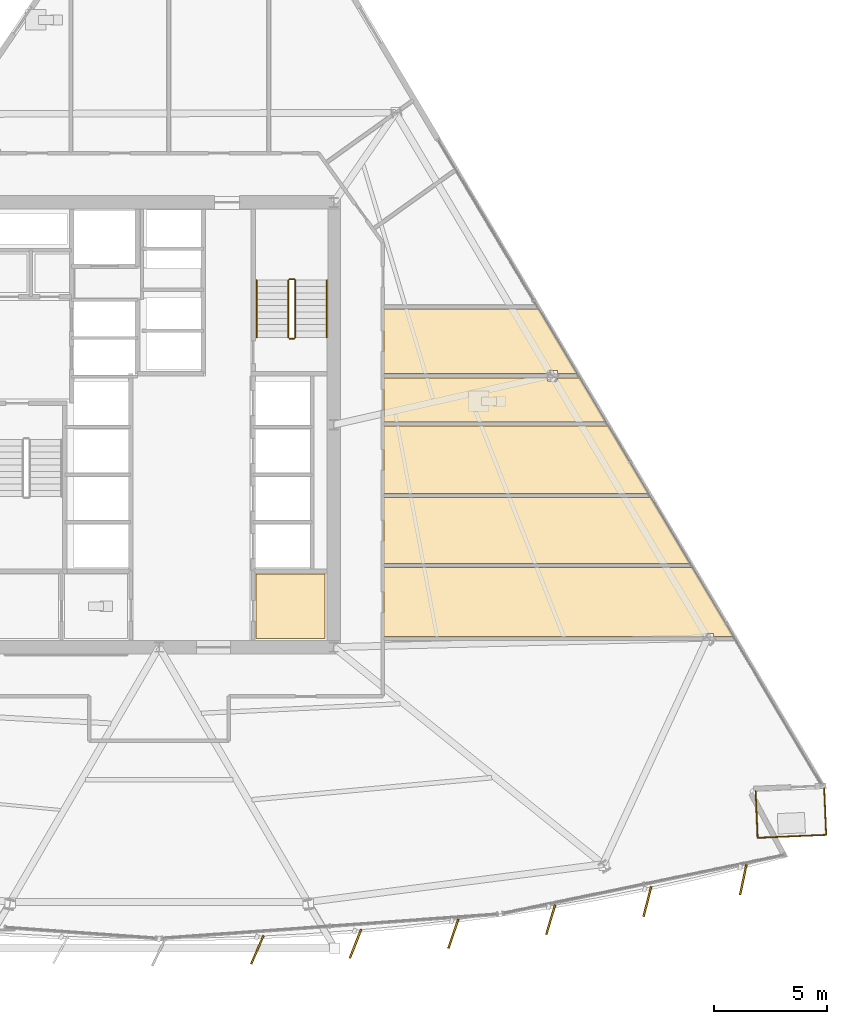
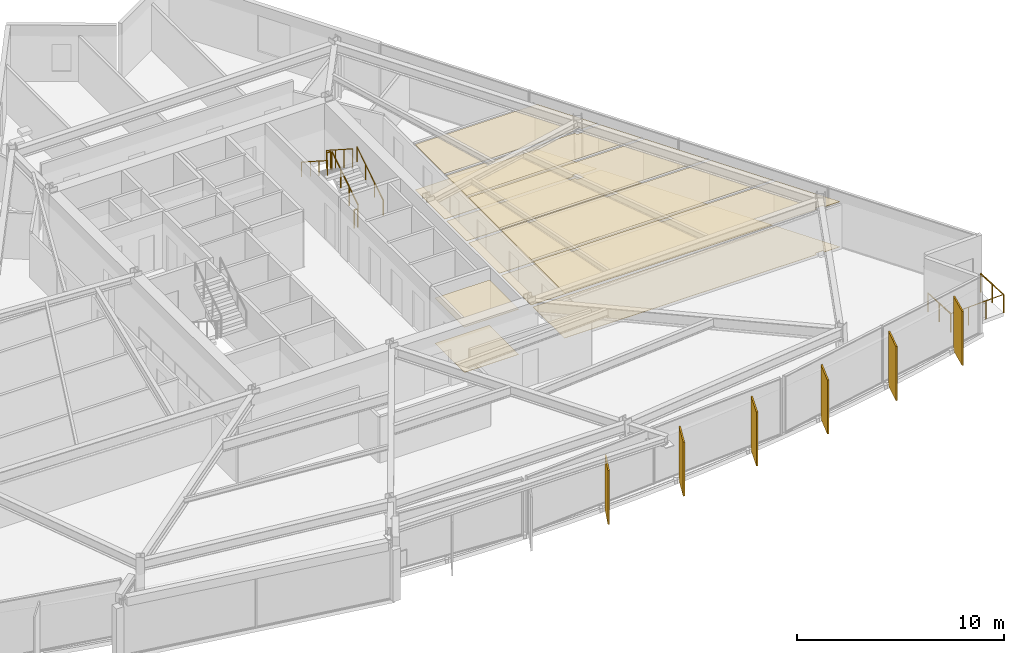
# One storey, part 15 of 17: 12 coverings, 9 railings, 6 shading devices.
"""IFC4 building model written with IfcOpenShell, lengths in metres."""

from ifc_helpers import new_model, si_unit, direction, frame, origin, origin_2d, place, context, subcontext, project, spatial, polyline, rectangle, circle, outline, extrude, material, layer, layer_set, type_object, element, save


model = new_model("IFC4")

# Units and contexts
model_context = context("Model", 3, precision=1e-05, world=origin(), true_north=direction((0.0, 1.0)))
body_context = subcontext(model_context, "Body", "Model", "MODEL_VIEW")
ifc_project = project(units=[si_unit("LENGTHUNIT", "METRE"), si_unit("AREAUNIT", "SQUARE_METRE"), si_unit("VOLUMEUNIT", "CUBIC_METRE"), si_unit("PLANEANGLEUNIT", "RADIAN"), si_unit("MASSUNIT", "GRAM", prefix="KILO")], contexts=[model_context])

# Site, building, storey
site_placement = place(None, origin())
site = spatial("IfcSite", under=ifc_project, at=site_placement, CompositionType="ELEMENT")
building_placement = place(site_placement, origin())
building = spatial("IfcBuilding", under=site, at=building_placement, Name="Savorim Split Tower", CompositionType="ELEMENT")
storey_placement = place(building_placement, frame((0.0, 0.0, 62.39990234375)))
storey = spatial("IfcBuildingStorey", under=building, at=storey_placement, Name="L16", CompositionType="ELEMENT", Elevation=62.39990234375)

# Coverings
ifc_material_1 = material(Name="Mineral Fibre Acoustic Ceiling")
ifc_layer_1 = layer(ifc_material_1, 0.02490234375)
ifc_layer_set_1 = layer_set([ifc_layer_1], Name="COV-CEIL-25")
covering_type_1 = type_object("IfcCoveringType", Name="COV-CEIL-25", PredefinedType="CEILING", material=ifc_layer_set_1)
covering_1_placement = place(storey_placement, frame((0.0, 0.0, 2.670166015625)))
element("IfcCovering", 1, at=covering_1_placement, inside=storey, type_object=covering_type_1, Name="L16 Core IT Server Room Acoustic Ceiling", PredefinedType="CEILING", context=body_context, shape_type="SweptSolid", body=[
    extrude(outline(polyline([(4.280029296875, -6.179931640625), (4.280029296875, -9.02001953125), (7.320068359375, -9.02001953125), (7.320068359375, -6.179931640625), (4.280029296875, -6.179931640625)])), origin(), (0.0, 0.0, 1.0), 0.02490234375),
])
covering_2_placement = place(storey_placement, frame((0.0, 0.0, 2.670166015625)))
element("IfcCovering", 2, at=covering_2_placement, inside=storey, type_object=covering_type_1, Name="L16 Maker Workshop Acoustic Ceiling", PredefinedType="CEILING", context=body_context, shape_type="SweptSolid", body=[
    extrude(outline(polyline([(24.443115234375, -8.80078125), (24.443115234375, -8.933349609375), (25.318115234375, -8.933349609375), (25.319580078125, -8.933349609375), (23.51513671875, -5.898681640625), (9.919921875, -5.898681640625), (9.919921875, -8.933349609375), (24.010986328125, -8.933349609375), (24.010986328125, -8.80078125), (24.443115234375, -8.80078125)])), origin(), (0.0, 0.0, 1.0), 0.02490234375),
])
covering_3_placement = place(storey_placement, frame((0.0, 0.0, 2.670166015625)))
element("IfcCovering", 3, at=covering_3_placement, inside=storey, type_object=covering_type_1, Name="L16 Maker Workshop Acoustic Ceiling", PredefinedType="CEILING", context=body_context, shape_type="SweptSolid", body=[
    extrude(outline(polyline([(23.402099609375, -5.708740234375), (21.68212890625, -2.81591796875), (9.919921875, -2.81591796875), (9.919921875, -5.708740234375), (23.402099609375, -5.708740234375)])), origin(), (0.0, 0.0, 1.0), 0.02490234375),
])
covering_4_placement = place(storey_placement, frame((0.0, 0.0, 2.670166015625)))
element("IfcCovering", 4, at=covering_4_placement, inside=storey, type_object=covering_type_1, Name="L16 Quiet Study Room Acoustic Ceiling", PredefinedType="CEILING", context=body_context, shape_type="SweptSolid", body=[
    extrude(outline(polyline([(21.569091796875, -2.6259765625), (19.806640625, 0.337890625), (9.919921875, 0.337890625), (9.919921875, -2.6259765625), (21.569091796875, -2.6259765625)])), origin(), (0.0, 0.0, 1.0), 0.02490234375),
])
covering_5_placement = place(storey_placement, frame((0.0, 0.0, 2.670166015625)))
element("IfcCovering", 5, at=covering_5_placement, inside=storey, type_object=covering_type_1, Name="L16 Shared Bathroom Acoustic Ceiling", PredefinedType="CEILING", context=body_context, shape_type="SweptSolid", body=[
    extrude(outline(polyline([(17.118408203125, 2.33544921875), (17.118408203125, 2.468017578125), (9.919921875, 2.468017578125), (9.919921875, 0.52783203125), (19.69384765625, 0.52783203125), (18.5205078125, 2.5009765625), (18.5205078125, 2.468017578125), (17.550537109375, 2.468017578125), (17.550537109375, 2.33544921875), (17.118408203125, 2.33544921875)])), origin(), (0.0, 0.0, 1.0), 0.02490234375),
])
covering_6_placement = place(storey_placement, frame((0.0, 0.0, 2.670166015625)))
element("IfcCovering", 6, at=covering_6_placement, inside=storey, type_object=covering_type_1, Name="L16 Maker Workshop Acoustic Ceiling", PredefinedType="CEILING", context=body_context, shape_type="SweptSolid", body=[
    extrude(outline(polyline([(17.550537109375, 2.790283203125), (17.550537109375, 2.657958984375), (18.425537109375, 2.657958984375), (18.42724609375, 2.657958984375), (16.734375, 5.5048828125), (9.919921875, 5.5048828125), (9.919921875, 2.657958984375), (17.118408203125, 2.657958984375), (17.118408203125, 2.790283203125), (17.550537109375, 2.790283203125)])), origin(), (0.0, 0.0, 1.0), 0.02490234375),
])
ifc_material_2 = material(Name="Porcelain Stoneware Flooring", Category="masonry")
ifc_layer_2 = layer(ifc_material_2, 0.02001953125)
ifc_layer_set_2 = layer_set([ifc_layer_2], Name="COV-FLOR-20")
covering_type_2 = type_object("IfcCoveringType", Name="COV-FLOR-20", PredefinedType="FLOORING", material=ifc_layer_set_2)
covering_7_placement = place(storey_placement, origin())
element("IfcCovering", 7, at=covering_7_placement, inside=storey, type_object=covering_type_2, Name="L16 Core IT Server Room Porcelain Flooring", PredefinedType="FLOORING", context=body_context, shape_type="SweptSolid", body=[
    extrude(outline(polyline([(4.280029296875, -6.179931640625), (4.280029296875, -9.02001953125), (7.320068359375, -9.02001953125), (7.320068359375, -6.179931640625), (4.280029296875, -6.179931640625)])), origin(), (0.0, 0.0, 1.0), 0.02001953125),
])
covering_8_placement = place(storey_placement, origin())
element("IfcCovering", 8, at=covering_8_placement, inside=storey, type_object=covering_type_2, Name="L16 Maker Workshop Porcelain Flooring", PredefinedType="FLOORING", context=body_context, shape_type="SweptSolid", body=[
    extrude(outline(polyline([(24.443115234375, -8.80078125), (24.443115234375, -8.933349609375), (25.318115234375, -8.933349609375), (25.319580078125, -8.933349609375), (23.51513671875, -5.898681640625), (9.919921875, -5.898681640625), (9.919921875, -8.933349609375), (24.010986328125, -8.933349609375), (24.010986328125, -8.80078125), (24.443115234375, -8.80078125)])), origin(), (0.0, 0.0, 1.0), 0.02001953125),
])
covering_9_placement = place(storey_placement, origin())
element("IfcCovering", 9, at=covering_9_placement, inside=storey, type_object=covering_type_2, Name="L16 Maker Workshop Porcelain Flooring", PredefinedType="FLOORING", context=body_context, shape_type="SweptSolid", body=[
    extrude(outline(polyline([(23.402099609375, -5.708740234375), (21.68212890625, -2.81591796875), (9.919921875, -2.81591796875), (9.919921875, -5.708740234375), (23.402099609375, -5.708740234375)])), origin(), (0.0, 0.0, 1.0), 0.02001953125),
])
covering_10_placement = place(storey_placement, origin())
element("IfcCovering", 10, at=covering_10_placement, inside=storey, type_object=covering_type_2, Name="L16 Quiet Study Room Porcelain Flooring", PredefinedType="FLOORING", context=body_context, shape_type="SweptSolid", body=[
    extrude(outline(polyline([(21.569091796875, -2.6259765625), (19.806640625, 0.337890625), (9.919921875, 0.337890625), (9.919921875, -2.6259765625), (21.569091796875, -2.6259765625)])), origin(), (0.0, 0.0, 1.0), 0.02001953125),
])
covering_11_placement = place(storey_placement, origin())
element("IfcCovering", 11, at=covering_11_placement, inside=storey, type_object=covering_type_2, Name="L16 Shared Bathroom Porcelain Flooring", PredefinedType="FLOORING", context=body_context, shape_type="SweptSolid", body=[
    extrude(outline(polyline([(17.118408203125, 2.33544921875), (17.118408203125, 2.468017578125), (9.919921875, 2.468017578125), (9.919921875, 0.52783203125), (19.69384765625, 0.52783203125), (18.5205078125, 2.5009765625), (18.5205078125, 2.468017578125), (17.550537109375, 2.468017578125), (17.550537109375, 2.33544921875), (17.118408203125, 2.33544921875)])), origin(), (0.0, 0.0, 1.0), 0.02001953125),
])
covering_12_placement = place(storey_placement, origin())
element("IfcCovering", 12, at=covering_12_placement, inside=storey, type_object=covering_type_2, Name="L16 Maker Workshop Porcelain Flooring", PredefinedType="FLOORING", context=body_context, shape_type="SweptSolid", body=[
    extrude(outline(polyline([(17.550537109375, 2.790283203125), (17.550537109375, 2.657958984375), (18.425537109375, 2.657958984375), (18.42724609375, 2.657958984375), (16.734375, 5.5048828125), (9.919921875, 5.5048828125), (9.919921875, 2.657958984375), (17.118408203125, 2.657958984375), (17.118408203125, 2.790283203125), (17.550537109375, 2.790283203125)])), origin(), (0.0, 0.0, 1.0), 0.02001953125),
])

# Railings
ifc_material_3 = material(Name="Galvanised Painted Steel Balustrade", Category="steel")
railing_type_1 = type_object("IfcRailingType", Name="RLG-BAL-1100", PredefinedType="BALUSTRADE", material=ifc_material_3)
railing_1_placement = place(storey_placement, frame((29.31640625, -15.626708984375, 0.0)))
element("IfcRailing", 13, at=railing_1_placement, inside=storey, type_object=railing_type_1, Name="L16 Tree Balcony Guardrail SE-1", PredefinedType="BALUSTRADE", context=body_context, shape_type="SweptSolid", body=[
    extrude(circle(Radius=0.02392578125, at=origin_2d()), frame((0.0, 0.0, 1.076171875), z_axis=(0.042398364463, -0.999100785052, 0.0), x_axis=(0.999100785052, 0.042398364463, 0.0)), (0.0, 0.0, 1.0), 2.050048828125),
    extrude(circle(Radius=0.02099609375, at=origin_2d()), origin(), (0.0, 0.0, 1.0), 1.052001953125),
    extrude(circle(Radius=0.02099609375, at=origin_2d()), frame((0.04345703125, -1.02392578125, 0.0)), (0.0, 0.0, 1.0), 1.052001953125),
    extrude(circle(Radius=0.02099609375, at=origin_2d()), frame((0.0869140625, -2.048095703125, 0.0)), (0.0, 0.0, 1.0), 1.052001953125),
])
railing_2_placement = place(storey_placement, frame((29.4033203125, -17.6748046875, 0.0)))
element("IfcRailing", 14, at=railing_2_placement, inside=storey, type_object=railing_type_1, Name="L16 Tree Balcony Guardrail SE-2", PredefinedType="BALUSTRADE", context=body_context, shape_type="SweptSolid", body=[
    extrude(circle(Radius=0.02392578125, at=origin_2d()), frame((0.0, 0.0, 1.076171875), z_axis=(-0.999096059369, -0.042509577207, 0.0), x_axis=(0.042509577207, -0.999096059369, 0.0)), (0.0, 0.0, 1.0), 3.026611328125),
    extrude(circle(Radius=0.02099609375, at=origin_2d()), origin(), (0.0, 0.0, 1.0), 1.052001953125),
    extrude(circle(Radius=0.02099609375, at=origin_2d()), frame((-1.008056640625, -0.04296875, 0.0)), (0.0, 0.0, 1.0), 1.052001953125),
    extrude(circle(Radius=0.02099609375, at=origin_2d()), frame((-2.015869140625, -0.085693359375, 0.0)), (0.0, 0.0, 1.0), 1.052001953125),
    extrude(circle(Radius=0.02099609375, at=origin_2d()), frame((-3.02392578125, -0.128662109375, 0.0)), (0.0, 0.0, 1.0), 1.052001953125),
])
railing_3_placement = place(storey_placement, frame((26.37939453125, -17.803466796875, 0.0)))
element("IfcRailing", 15, at=railing_3_placement, inside=storey, type_object=railing_type_1, Name="L16 Tree Balcony Guardrail SE-3", PredefinedType="BALUSTRADE", context=body_context, shape_type="SweptSolid", body=[
    extrude(circle(Radius=0.02392578125, at=origin_2d()), frame((0.0, 0.0, 1.076171875), z_axis=(-0.042517246, 0.999095733047, 0.0), x_axis=(-0.999095733047, -0.042517246, 0.0)), (0.0, 0.0, 1.0), 2.050048828125),
    extrude(circle(Radius=0.02099609375, at=origin_2d()), origin(), (0.0, 0.0, 1.0), 1.052001953125),
    extrude(circle(Radius=0.02099609375, at=origin_2d()), frame((-0.04345703125, 1.02392578125, 0.0)), (0.0, 0.0, 1.0), 1.052001953125),
    extrude(circle(Radius=0.02099609375, at=origin_2d()), frame((-0.087158203125, 2.048095703125, 0.0)), (0.0, 0.0, 1.0), 1.052001953125),
])
railing_type_2 = type_object("IfcRailingType", Name="RLG-HR-900", PredefinedType="HANDRAIL", material=ifc_material_3)
railing_4_placement = place(storey_placement, frame((7.39990234375, 4.25, 0.18017578125)))
element("IfcRailing", 16, at=railing_4_placement, inside=storey, type_object=railing_type_2, Name="L16 ST-2 stair handrail 1", PredefinedType="HANDRAIL", context=body_context, shape_type="SweptSolid", body=[
    extrude(circle(Radius=0.02392578125, at=origin_2d()), frame((0.0, 0.0, 0.8759765625), z_axis=(0.0, 0.841199657755, 0.540724639528), x_axis=(-1.0, 0.0, 0.0)), (0.0, 0.0, 1.0), 2.995849609375),
    extrude(circle(Radius=0.02099609375, at=origin_2d()), origin(), (0.0, 0.0, 1.0), 0.851806640625),
    extrude(circle(Radius=0.02099609375, at=origin_2d()), frame((0.0, 0.840087890625, 0.5400390625)), (0.0, 0.0, 1.0), 0.851806640625),
    extrude(circle(Radius=0.02099609375, at=origin_2d()), frame((0.0, 1.679931640625, 1.079833984375)), (0.0, 0.0, 1.0), 0.851806640625),
    extrude(circle(Radius=0.02099609375, at=origin_2d()), frame((0.0, 2.52001953125, 1.619873046875)), (0.0, 0.0, 1.0), 0.851806640625),
])
railing_5_placement = place(storey_placement, frame((4.300048828125, 6.77001953125, 1.97998046875)))
element("IfcRailing", 17, at=railing_5_placement, inside=storey, type_object=railing_type_2, Name="L16 ST-2 stair handrail 2", PredefinedType="HANDRAIL", context=body_context, shape_type="SweptSolid", body=[
    extrude(circle(Radius=0.02392578125, at=origin_2d()), frame((0.0, 0.0, 0.8759765625), z_axis=(0.0, -0.841162588446, 0.540782303519), x_axis=(1.0, 0.0, 0.0)), (0.0, 0.0, 1.0), 2.995849609375),
    extrude(circle(Radius=0.02099609375, at=origin_2d()), origin(), (0.0, 0.0, 1.0), 0.851806640625),
    extrude(circle(Radius=0.02099609375, at=origin_2d()), frame((0.0, -0.840087890625, 0.5400390625)), (0.0, 0.0, 1.0), 0.851806640625),
    extrude(circle(Radius=0.02099609375, at=origin_2d()), frame((0.0, -1.679931640625, 1.080078125)), (0.0, 0.0, 1.0), 0.851806640625),
    extrude(circle(Radius=0.02099609375, at=origin_2d()), frame((0.0, -2.52001953125, 1.6201171875)), (0.0, 0.0, 1.0), 0.851806640625),
])
railing_type_3 = type_object("IfcRailingType", Name="RLG-STG-1100", PredefinedType="BALUSTRADE", material=ifc_material_3)
railing_6_placement = place(storey_placement, frame((6.0, 4.25, 0.18017578125)))
element("IfcRailing", 18, at=railing_6_placement, inside=storey, type_object=railing_type_3, Name="L16 ST-2 stair guard 1", PredefinedType="BALUSTRADE", context=body_context, shape_type="SweptSolid", body=[
    extrude(circle(Radius=0.02392578125, at=origin_2d()), frame((0.0, 0.0, 1.076171875), z_axis=(0.0, 0.841199657755, 0.540724639528), x_axis=(-1.0, 0.0, 0.0)), (0.0, 0.0, 1.0), 2.995849609375),
    extrude(circle(Radius=0.02099609375, at=origin_2d()), origin(), (0.0, 0.0, 1.0), 1.052001953125),
    extrude(circle(Radius=0.02099609375, at=origin_2d()), frame((0.0, 0.840087890625, 0.5400390625)), (0.0, 0.0, 1.0), 1.052001953125),
    extrude(circle(Radius=0.02099609375, at=origin_2d()), frame((0.0, 1.679931640625, 1.079833984375)), (0.0, 0.0, 1.0), 1.052001953125),
    extrude(circle(Radius=0.02099609375, at=origin_2d()), frame((0.0, 2.52001953125, 1.619873046875)), (0.0, 0.0, 1.0), 1.052001953125),
])
railing_7_placement = place(storey_placement, frame((5.949951171875, 6.820068359375, 1.800048828125)))
element("IfcRailing", 19, at=railing_7_placement, inside=storey, type_object=railing_type_3, Name="L16 ST-2 stair guard 2", PredefinedType="BALUSTRADE", context=body_context, shape_type="SweptSolid", body=[
    extrude(circle(Radius=0.02392578125, at=origin_2d()), frame((0.0, 0.0, 1.076171875), z_axis=(-1.0, 0.0, 0.0), x_axis=(0.0, -1.0, 0.0)), (0.0, 0.0, 1.0), 0.199951171875),
    extrude(circle(Radius=0.02099609375, at=origin_2d()), origin(), (0.0, 0.0, 1.0), 1.052001953125),
    extrude(circle(Radius=0.02099609375, at=origin_2d()), frame((-0.199951171875, 0.0, 0.0)), (0.0, 0.0, 1.0), 1.052001953125),
])
railing_8_placement = place(storey_placement, frame((5.699951171875, 6.77001953125, 1.97998046875)))
element("IfcRailing", 20, at=railing_8_placement, inside=storey, type_object=railing_type_3, Name="L16 ST-2 stair guard 3", PredefinedType="BALUSTRADE", context=body_context, shape_type="SweptSolid", body=[
    extrude(circle(Radius=0.02392578125, at=origin_2d()), frame((0.0, 0.0, 1.076171875), z_axis=(0.0, -0.841162588446, 0.540782303519), x_axis=(1.0, 0.0, 0.0)), (0.0, 0.0, 1.0), 2.995849609375),
    extrude(circle(Radius=0.02099609375, at=origin_2d()), origin(), (0.0, 0.0, 1.0), 1.052001953125),
    extrude(circle(Radius=0.02099609375, at=origin_2d()), frame((0.0, -0.840087890625, 0.5400390625)), (0.0, 0.0, 1.0), 1.052001953125),
    extrude(circle(Radius=0.02099609375, at=origin_2d()), frame((0.0, -1.679931640625, 1.080078125)), (0.0, 0.0, 1.0), 1.052001953125),
    extrude(circle(Radius=0.02099609375, at=origin_2d()), frame((0.0, -2.52001953125, 1.6201171875)), (0.0, 0.0, 1.0), 1.052001953125),
])
railing_9_placement = place(storey_placement, frame((5.949951171875, 4.199951171875, 0.0)))
element("IfcRailing", 21, at=railing_9_placement, inside=storey, type_object=railing_type_3, Name="L16 ST-2 stair guard 4", PredefinedType="BALUSTRADE", context=body_context, shape_type="SweptSolid", body=[
    extrude(circle(Radius=0.02392578125, at=origin_2d()), frame((0.0, 0.0, 1.076171875), z_axis=(-1.0, 0.0, 0.0), x_axis=(0.0, -1.0, 0.0)), (0.0, 0.0, 1.0), 0.199951171875),
    extrude(circle(Radius=0.02099609375, at=origin_2d()), origin(), (0.0, 0.0, 1.0), 1.052001953125),
    extrude(circle(Radius=0.02099609375, at=origin_2d()), frame((-0.199951171875, 0.0, 0.0)), (0.0, 0.0, 1.0), 1.052001953125),
])

# Shading devices
ifc_material_4 = material(Name="Terracotta Ceramic-Coated Aluminium Fin", Category="masonry")
shading_device_type = type_object("IfcShadingDeviceType", Name="SHD-FIN-1360", PredefinedType="USERDEFINED", material=ifc_material_4)
for number, where, z_axis, x_axis, name in (
    (22, (4.33349609375, -22.73779296875, -0.19970703125), (0.0, 0.0, 1.0), (-0.401230091723, -0.915977299662, 0.0), "L16 Sawtooth Shading Fin 08"),
    (23, (8.659423828125, -22.4716796875, -0.19970703125), (0.0, 0.0, 1.0), (-0.363415461732, -0.931627179817, 0.0), "L16 Sawtooth Shading Fin 09"),
    (24, (12.97119140625, -22.029052734375, -0.19970703125), (0.0, 0.0, 1.0), (-0.324993810493, -0.945716143005, 0.0), "L16 Sawtooth Shading Fin 10"),
    (25, (17.260986328125, -21.410400390625, -0.19970703125), (0.0, 0.0, 1.0), (-0.286026212504, -0.958221793616, 0.0), "L16 Sawtooth Shading Fin 11"),
    (26, (21.52197265625, -20.61669921875, -0.19970703125), (0.0, 0.0, 1.0), (-0.246581250663, -0.969122121727, 0.0), "L16 Sawtooth Shading Fin 12"),
    (27, (25.746826171875, -19.649169921875, -0.19970703125), (0.0, 0.0, 1.0), (-0.206721626106, -0.978399800337, 0.0), "L16 Sawtooth Shading Fin 13"),
):
    element("IfcShadingDevice", number, at=place(storey_placement, frame(where, z_axis=z_axis, x_axis=x_axis)), inside=storey, type_object=shading_device_type, Name=name, ObjectType="FIN", PredefinedType="USERDEFINED", context=body_context, shape_type="SweptSolid", body=[
        extrude(rectangle(XDim=1.360107421875, YDim=0.080078125, at=origin_2d()), origin(), (0.0, 0.0, 1.0), 3.199951171875),
    ])

save(model, "model.ifc")
